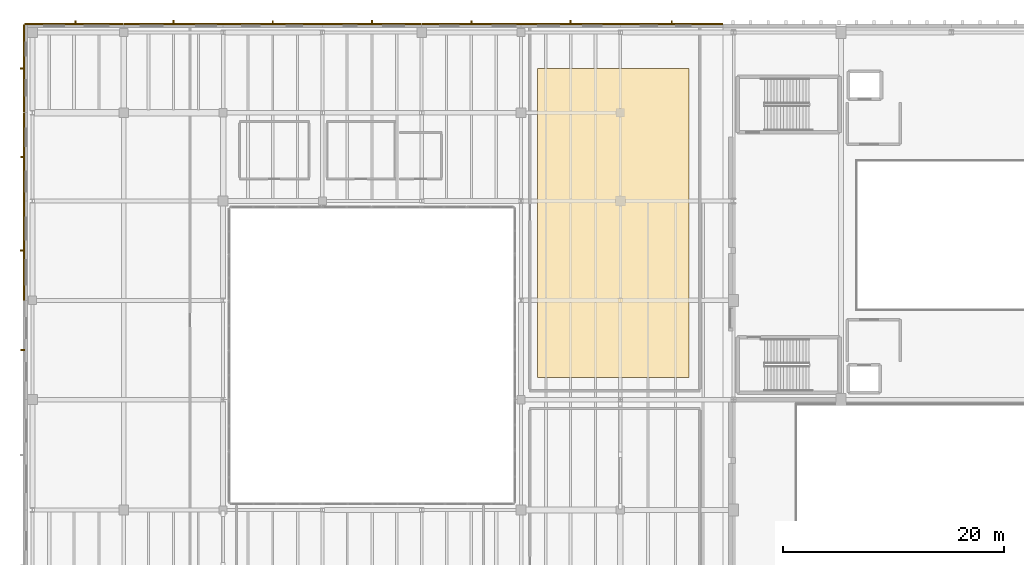
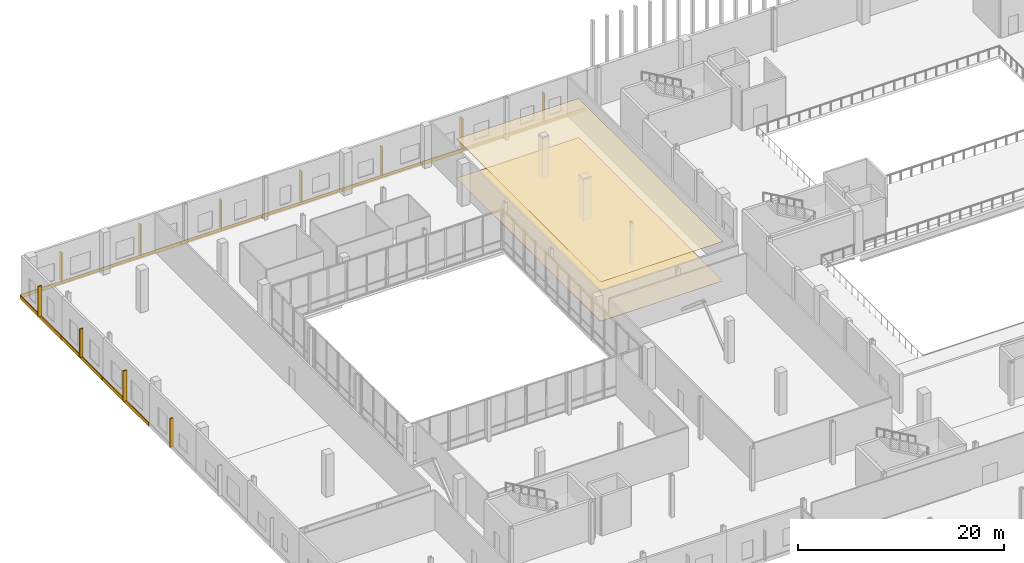
# One storey, part 73 of 81: 12 coverings, 11 shading devices.
"""IFC4 building model written with IfcOpenShell, lengths in metres."""

from ifc_helpers import new_model, si_unit, direction, frame, origin, origin_2d, place, context, subcontext, project, spatial, polyline, rectangle, outline, extrude, material, layer, layer_set, type_object, element, save


model = new_model("IFC4")

# Units and contexts
model_context = context("Model", 3, precision=1e-05, world=origin(), true_north=direction((0.0, 1.0)))
body_context = subcontext(model_context, "Body", "Model", "MODEL_VIEW")
ifc_project = project(units=[si_unit("LENGTHUNIT", "METRE"), si_unit("AREAUNIT", "SQUARE_METRE"), si_unit("VOLUMEUNIT", "CUBIC_METRE"), si_unit("PLANEANGLEUNIT", "RADIAN"), si_unit("MASSUNIT", "GRAM", prefix="KILO")], contexts=[model_context])

# Site, building, storey
site_placement = place(None, origin())
site = spatial("IfcSite", under=ifc_project, at=site_placement, CompositionType="ELEMENT")
building_placement = place(site_placement, origin())
building = spatial("IfcBuilding", under=site, at=building_placement, Name="Trimount Lyric Opera House", CompositionType="ELEMENT")
storey_placement = place(building_placement, frame((0.0, 0.0, 5.0)))
storey = spatial("IfcBuildingStorey", under=building, at=storey_placement, Name="L01", CompositionType="ELEMENT", Elevation=5.0)

# Coverings
ifc_material_1 = material(Name="Acoustic Gypsum Suspended Ceiling")
ifc_layer_1 = layer(ifc_material_1, 0.030029296875)
ifc_layer_set_1 = layer_set([ifc_layer_1], Name="CEIL-GYP1")
covering_type_1 = type_object("IfcCoveringType", Name="CEIL-GYP1", PredefinedType="CEILING", material=ifc_layer_set_1)
covering_1_placement = place(storey_placement, frame((0.0, 0.0, 4.64990234375)))
element("IfcCovering", 1, at=covering_1_placement, inside=storey, type_object=covering_type_1, Name="Ballet Rehearsal Studio acoustic ceiling", PredefinedType="CEILING", context=body_context, shape_type="SweptSolid", body=[
    extrude(outline(polyline([(46.5, 86.0), (60.199951171875, 86.0), (60.199951171875, 114.0), (46.5, 114.0), (46.5, 86.0)])), origin(), (0.0, 0.0, 1.0), 0.030029296875),
])
ifc_material_2 = material(Name="Architectural Precast Concrete Spandrel Band", Category="concrete")
ifc_layer_2 = layer(ifc_material_2, 0.094970703125)
ifc_layer_set_2 = layer_set([ifc_layer_2], Name="CLD-WING1")
covering_type_2 = type_object("IfcCoveringType", Name="CLD-WING1", PredefinedType="CLADDING", material=ifc_layer_set_2)
covering_2_placement = place(storey_placement, frame((-0.04150390625, 97.5, -0.369873046875), z_axis=(0.0, 0.0, 1.0), x_axis=(0.0, 1.0, 0.0)))
element("IfcCovering", 2, at=covering_2_placement, inside=storey, type_object=covering_type_2, Name="L01 precast slab-edge spandrel 162", PredefinedType="CLADDING", context=body_context, shape_type="SweptSolid", body=[
    extrude(rectangle(XDim=8.93994140625, YDim=0.094970703125, at=origin_2d()), origin(), (0.0, 0.0, 1.0), 0.419921875),
])
for number, where, z_axis, x_axis, name in (
    (3, (-0.04150390625, 106.0, -0.369873046875), (0.0, 0.0, 1.0), (0.0, 1.0, 0.0), "L01 precast slab-edge spandrel 163"),
    (4, (-0.04150390625, 114.0, -0.369873046875), (0.0, 0.0, 1.0), (0.0, 1.0, 0.0), "L01 precast slab-edge spandrel 164"),
):
    element("IfcCovering", number, at=place(storey_placement, frame(where, z_axis=z_axis, x_axis=x_axis)), inside=storey, type_object=covering_type_2, Name=name, PredefinedType="CLADDING", context=body_context, shape_type="SweptSolid", body=[
        extrude(rectangle(XDim=7.93994140625, YDim=0.094970703125, at=origin_2d()), origin(), (0.0, 0.0, 1.0), 0.419921875),
    ])
for number, where, z_axis, x_axis, name in (
    (5, (4.5, 118.04150390625, -0.369873046875), (0.0, 0.0, 1.0), (1.0, 0.0, 0.0), "L01 precast slab-edge spandrel 165"),
    (6, (13.5, 118.04150390625, -0.369873046875), (0.0, 0.0, 1.0), (1.0, 0.0, 0.0), "L01 precast slab-edge spandrel 166"),
    (7, (22.5, 118.04150390625, -0.369873046875), (0.0, 0.0, 1.0), (1.0, 0.0, 0.0), "L01 precast slab-edge spandrel 167"),
    (8, (31.5, 118.04150390625, -0.369873046875), (0.0, 0.0, 1.0), (1.0, 0.0, 0.0), "L01 precast slab-edge spandrel 168"),
    (9, (40.5, 118.04150390625, -0.369873046875), (0.0, 0.0, 1.0), (1.0, 0.0, 0.0), "L01 precast slab-edge spandrel 169"),
    (10, (49.5, 118.04150390625, -0.369873046875), (0.0, 0.0, 1.0), (1.0, 0.0, 0.0), "L01 precast slab-edge spandrel 170"),
):
    element("IfcCovering", number, at=place(storey_placement, frame(where, z_axis=z_axis, x_axis=x_axis)), inside=storey, type_object=covering_type_2, Name=name, PredefinedType="CLADDING", context=body_context, shape_type="SweptSolid", body=[
        extrude(rectangle(XDim=8.93994140625, YDim=0.094970703125, at=origin_2d()), origin(), (0.0, 0.0, 1.0), 0.419921875),
    ])
covering_3_placement = place(storey_placement, frame((58.659912109375, 118.04150390625, -0.369873046875), z_axis=(0.0, 0.0, 1.0), x_axis=(1.0, 0.0, 0.0)))
element("IfcCovering", 11, at=covering_3_placement, inside=storey, type_object=covering_type_2, Name="L01 precast slab-edge spandrel 171", PredefinedType="CLADDING", context=body_context, shape_type="SweptSolid", body=[
    extrude(rectangle(XDim=9.260009765625, YDim=0.094970703125, at=origin_2d()), origin(), (0.0, 0.0, 1.0), 0.419921875),
])
ifc_material_3 = material(Name="Sprung European Oak Stage and Rehearsal Flooring")
ifc_layer_3 = layer(ifc_material_3, 0.028076171875)
ifc_layer_set_3 = layer_set([ifc_layer_3], Name="FLR-OAK1")
covering_type_3 = type_object("IfcCoveringType", Name="FLR-OAK1", PredefinedType="FLOORING", material=ifc_layer_set_3)
covering_4_placement = place(storey_placement, origin())
element("IfcCovering", 12, at=covering_4_placement, inside=storey, type_object=covering_type_3, Name="Ballet Rehearsal Studio finish flooring", PredefinedType="FLOORING", context=body_context, shape_type="SweptSolid", body=[
    extrude(outline(polyline([(46.5, 86.0), (60.199951171875, 86.0), (60.199951171875, 114.0), (46.5, 114.0), (46.5, 86.0)])), origin(), (0.0, 0.0, 1.0), 0.028076171875),
])

# Shading devices
ifc_material_4 = material(Name="Extruded Bronze Vertical Acoustic Fin")
shading_device_type_1 = type_object("IfcShadingDeviceType", Name="SHD-FIN1", PredefinedType="USERDEFINED", material=ifc_material_4)
for number, where, z_axis, x_axis, name in (
    (13, (-0.179931640625, 97.5, 0.0), (0.0, 0.0, 1.0), (1.0, 0.0, 0.0), "Vertical architectural facade fin 055"),
    (14, (-0.179931640625, 114.0, 0.0), (0.0, 0.0, 1.0), (1.0, 0.0, 0.0), "Vertical architectural facade fin 057"),
):
    element("IfcShadingDevice", number, at=place(storey_placement, frame(where, z_axis=z_axis, x_axis=x_axis)), inside=storey, type_object=shading_device_type_1, Name=name, ObjectType="FIN", PredefinedType="USERDEFINED", context=body_context, shape_type="SweptSolid", body=[
        extrude(rectangle(XDim=0.449951171875, YDim=0.139892578125, at=origin_2d()), origin(), (0.0, 0.0, 1.0), 3.60009765625),
    ])
for number, where, z_axis, x_axis, name in (
    (15, (13.5, 118.179931640625, 0.0), (0.0, 0.0, 1.0), (1.0, 0.0, 0.0), "Vertical architectural facade fin 059"),
    (16, (31.5, 118.179931640625, 0.0), (0.0, 0.0, 1.0), (1.0, 0.0, 0.0), "Vertical architectural facade fin 061"),
    (17, (49.5, 118.179931640625, 0.0), (0.0, 0.0, 1.0), (1.0, 0.0, 0.0), "Vertical architectural facade fin 063"),
):
    element("IfcShadingDevice", number, at=place(storey_placement, frame(where, z_axis=z_axis, x_axis=x_axis)), inside=storey, type_object=shading_device_type_1, Name=name, ObjectType="FIN", PredefinedType="USERDEFINED", context=body_context, shape_type="SweptSolid", body=[
        extrude(rectangle(XDim=0.139892578125, YDim=0.449951171875, at=origin_2d()), origin(), (0.0, 0.0, 1.0), 3.60009765625),
    ])
ifc_material_5 = material(Name="Extruded White Aluminium Sun Fin", Category="aluminium")
shading_device_type_2 = type_object("IfcShadingDeviceType", Name="SHD-FIN2", PredefinedType="USERDEFINED", material=ifc_material_5)
for number, where, z_axis, x_axis, name in (
    (18, (-0.14501953125, 88.5, 0.0), (0.0, 0.0, 1.0), (1.0, 0.0, 0.0), "Vertical architectural facade fin 054"),
    (19, (-0.14501953125, 106.0, 0.0), (0.0, 0.0, 1.0), (1.0, 0.0, 0.0), "Vertical architectural facade fin 056"),
):
    element("IfcShadingDevice", number, at=place(storey_placement, frame(where, z_axis=z_axis, x_axis=x_axis)), inside=storey, type_object=shading_device_type_2, Name=name, ObjectType="FIN", PredefinedType="USERDEFINED", context=body_context, shape_type="SweptSolid", body=[
        extrude(rectangle(XDim=0.3798828125, YDim=0.1201171875, at=origin_2d()), origin(), (0.0, 0.0, 1.0), 3.39990234375),
    ])
for number, where, z_axis, x_axis, name in (
    (20, (4.635009765625, 118.14501953125, 0.0), (0.0, 0.0, 1.0), (1.0, 0.0, 0.0), "Vertical architectural facade fin 058"),
    (21, (22.5, 118.14501953125, 0.0), (0.0, 0.0, 1.0), (1.0, 0.0, 0.0), "Vertical architectural facade fin 060"),
    (22, (40.5, 118.14501953125, 0.0), (0.0, 0.0, 1.0), (1.0, 0.0, 0.0), "Vertical architectural facade fin 062"),
    (23, (58.659912109375, 118.14501953125, 0.0), (0.0, 0.0, 1.0), (1.0, 0.0, 0.0), "Vertical architectural facade fin 064"),
):
    element("IfcShadingDevice", number, at=place(storey_placement, frame(where, z_axis=z_axis, x_axis=x_axis)), inside=storey, type_object=shading_device_type_2, Name=name, ObjectType="FIN", PredefinedType="USERDEFINED", context=body_context, shape_type="SweptSolid", body=[
        extrude(rectangle(XDim=0.1201171875, YDim=0.3798828125, at=origin_2d()), origin(), (0.0, 0.0, 1.0), 3.39990234375),
    ])

save(model, "model.ifc")
